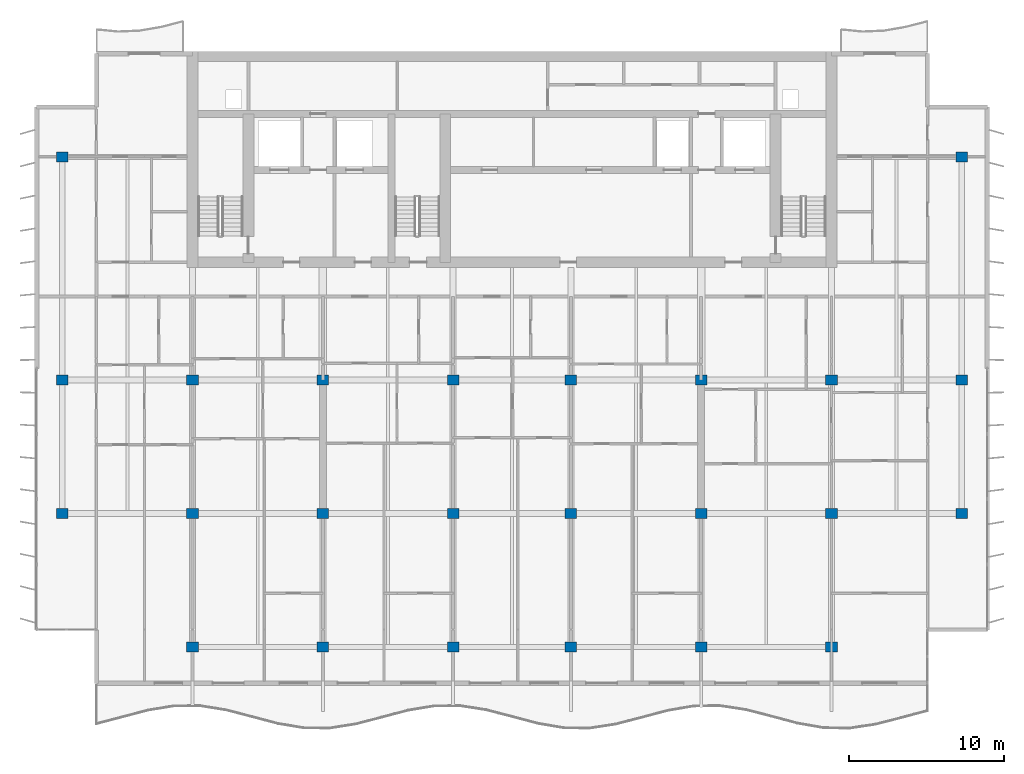
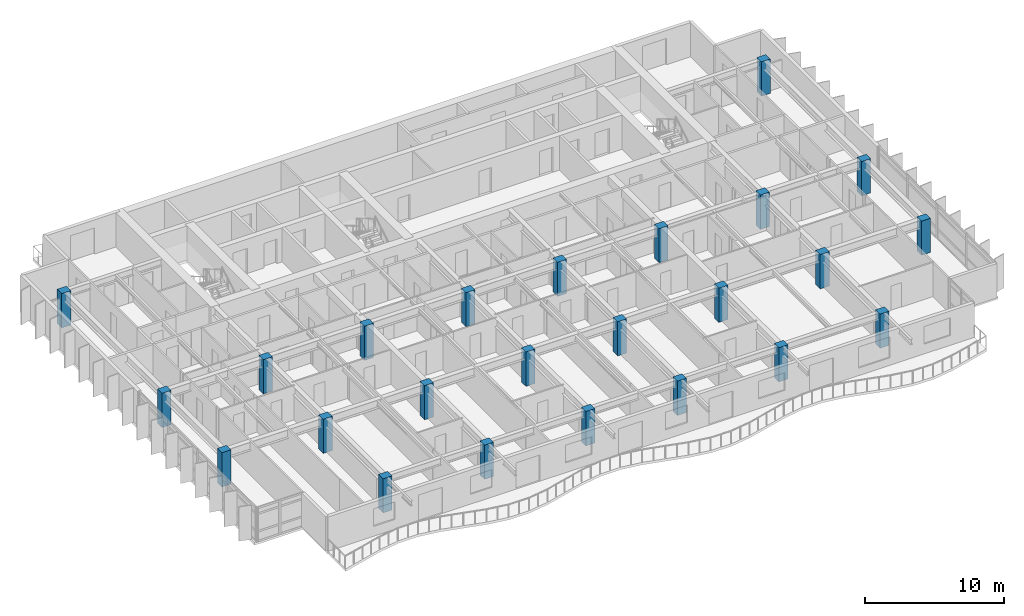
# One storey, part 1 of 16: 24 columns.
"""IFC4 building model written with IfcOpenShell, lengths in metres."""

import ifcopenshell
import ifcopenshell.guid

model = None  # the IFC model being written
_history = None  # IfcOwnerHistory: only IFC2X3 demands one
_inside = {}  # id of a spatial element -> (the spatial element, [elements in it])
_under = {}  # id of a project, library or spatial element -> (it, [spatial elements below it])
_declared = {}  # id of a project -> (the project, [libraries it declares])
_typed = {}  # id of a type object -> (the type object, [elements of that type])
_made_of = {}  # id of a material, layer set ... -> (it, [elements and type objects made of it])


def new_model(schema):
    """Start an empty IFC model of exactly this schema.

    Asked for "IFC4X3", IfcOpenShell would pick the latest addendum, in which some entities
    have other attributes; the version numbers below select the first issue.
    IFC2X3 requires an IfcOwnerHistory on every rooted entity: one is made here for all.
    """
    global model, _history
    if schema == "IFC4X3":
        model = ifcopenshell.file(schema_version=(4, 3, 0, 0))
    else:
        model = ifcopenshell.file(schema=schema)
    _inside.clear()
    _under.clear()
    _declared.clear()
    _typed.clear()
    _made_of.clear()
    _history = None
    if model.schema == "IFC2X3":
        org = make("IfcOrganization", Name="unknown")
        user = make(
            "IfcPersonAndOrganization",
            ThePerson=make("IfcPerson", FamilyName="unknown"),
            TheOrganization=org,
        )
        app = make(
            "IfcApplication",
            ApplicationDeveloper=org,
            Version="unknown",
            ApplicationFullName="unknown",
            ApplicationIdentifier="unknown",
        )
        _history = make(
            "IfcOwnerHistory",
            OwningUser=user,
            OwningApplication=app,
            ChangeAction="ADDED",
            CreationDate=0,
        )
    return model


def make(cls, **values):
    """One entity of the class cls with the attributes given. An attribute that is None is left unset."""
    return model.create_entity(
        cls, **{name: value for name, value in values.items() if value is not None}
    )


def rooted(cls, **values):
    """An entity with a GlobalId (a new one), such as an element, a storey or a relation."""
    return make(cls, GlobalId=ifcopenshell.guid.new(), OwnerHistory=_history, **values)


def si_unit(unit_type, name, prefix=None):
    """IfcSIUnit, for example si_unit("LENGTHUNIT", "METRE", prefix="MILLI")."""
    return make("IfcSIUnit", UnitType=unit_type, Prefix=prefix, Name=name)


def assignment(units):
    """IfcUnitAssignment: the units of a project."""
    return None if units is None else make("IfcUnitAssignment", Units=units)


def point(xyz):
    """IfcCartesianPoint."""
    return None if xyz is None else make("IfcCartesianPoint", Coordinates=xyz)


def direction(xyz):
    """IfcDirection."""
    return None if xyz is None else make("IfcDirection", DirectionRatios=xyz)


def frame(location, z_axis=None, x_axis=None):
    """IfcAxis2Placement3D, a coordinate frame: its origin and axes. An axis left out is left unset."""
    return make(
        "IfcAxis2Placement3D",
        Location=point(location),
        Axis=direction(z_axis),
        RefDirection=direction(x_axis),
    )


def frame_2d(location, x_axis=None):
    """IfcAxis2Placement2D, a coordinate frame in the plane: its origin and x axis."""
    return make(
        "IfcAxis2Placement2D", Location=point(location), RefDirection=direction(x_axis)
    )


def origin():
    """The frame at (0, 0, 0) with its axes left unset."""
    return frame((0.0, 0.0, 0.0))


def origin_2d():
    """The frame at (0, 0) in the plane with its x axis left unset."""
    return frame_2d((0.0, 0.0))


def place(relative_to, where):
    """IfcLocalPlacement: puts the frame where relative to a parent placement (None: the world)."""
    return make(
        "IfcLocalPlacement", PlacementRelTo=relative_to, RelativePlacement=where
    )


def context(
    kind, dimensions, precision=None, world=None, true_north=None, identifier=None
):
    """IfcGeometricRepresentationContext, for example the 3D "Model" context."""
    return make(
        "IfcGeometricRepresentationContext",
        ContextIdentifier=identifier,
        ContextType=kind,
        CoordinateSpaceDimension=dimensions,
        Precision=precision,
        WorldCoordinateSystem=world,
        TrueNorth=true_north,
    )


def subcontext(parent, identifier, kind, view, scale=None):
    """IfcGeometricRepresentationSubContext, for example "Body" below "Model"."""
    return make(
        "IfcGeometricRepresentationSubContext",
        ContextIdentifier=identifier,
        ContextType=kind,
        ParentContext=parent,
        TargetScale=scale,
        TargetView=view,
    )


def project(units=None, contexts=None):
    """IfcProject with its units and contexts."""
    return rooted(
        "IfcProject",
        Name="project",
        RepresentationContexts=contexts,
        UnitsInContext=assignment(units),
    )


def spatial(cls, under=None, at=None, **own):
    """A site, building, storey or space (cls), placed at a placement, below another one or the project."""
    s = rooted(cls, ObjectPlacement=at, **own)
    if under is not None:
        _under.setdefault(under.id(), (under, []))[1].append(s)
    return s


def profile(cls, at=None, kind="AREA", **sizes):
    """A parametric profile (cls). Its sizes go by their IFC names, for example OverallWidth=200.0."""
    return make(cls, ProfileType=kind, Position=at, **sizes)


def rectangle(**sizes):
    """IfcRectangleProfileDef."""
    return profile("IfcRectangleProfileDef", **sizes)


def extrude(swept, where, along, depth):
    """IfcExtrudedAreaSolid: the profile swept, set in the frame where, extruded along a direction by depth."""
    return make(
        "IfcExtrudedAreaSolid",
        SweptArea=swept,
        Position=where,
        ExtrudedDirection=direction(along),
        Depth=depth,
    )


def shape(context_of_items, identifier, shape_type, items):
    """IfcShapeRepresentation: the items that make up one representation, for example the "Body"."""
    return make(
        "IfcShapeRepresentation",
        ContextOfItems=context_of_items,
        RepresentationIdentifier=identifier,
        RepresentationType=shape_type,
        Items=items,
    )


def material(Name=None, Category=None):
    """IfcMaterial."""
    return make("IfcMaterial", Name=Name, Category=Category)


def material_profile(
    of_material, cross_section, Name=None, Category=None, Priority=None
):
    """IfcMaterialProfile: a cross section and its material."""
    return make(
        "IfcMaterialProfile",
        Name=Name,
        Material=of_material,
        Profile=cross_section,
        Priority=Priority,
        Category=Category,
    )


def profile_set(profiles, Name=None, composite=None):
    """IfcMaterialProfileSet."""
    return make(
        "IfcMaterialProfileSet",
        Name=Name,
        MaterialProfiles=profiles,
        CompositeProfile=composite,
    )


def made_of(thing, what):
    """Note that an element or type object is made of a material, layer set ...; save() writes the relation."""
    if what is not None:
        _made_of.setdefault(what.id(), (what, []))[1].append(thing)
    return thing


def type_object(cls, material=None, **own):
    """A type object (cls), such as IfcWallType, which elements share."""
    return made_of(rooted(cls, **own), material)


def element(
    cls,
    number,
    at=None,
    inside=None,
    cuts=None,
    type_object=None,
    material=None,
    context=None,
    identifier="Body",
    shape_type=None,
    held_by="IfcProductDefinitionShape",
    body=None,
    shapes=None,
    **own,
):
    """One element of the class cls, such as IfcWall. Its Tag is "e" and its number.

    at: its placement. inside: the storey or other place that contains it. cuts: it is an
    opening in that element (IfcRelVoidsElement). A single representation is given by context,
    identifier, shape_type and body (its items); several are given by shapes. held_by: the class
    of the entity that holds the representations. save() writes the other relations.
    """
    e = rooted(cls, Tag="e%d" % number, ObjectPlacement=at, **own)
    if body is not None:
        shapes = [shape(context, identifier, shape_type, body)]
    if shapes is not None:
        e.Representation = make(held_by, Representations=shapes)
    if inside is not None:
        _inside.setdefault(inside.id(), (inside, []))[1].append(e)
    if cuts is not None:
        rooted(
            "IfcRelVoidsElement", RelatingBuildingElement=cuts, RelatedOpeningElement=e
        )
    if type_object is not None:
        _typed.setdefault(type_object.id(), (type_object, []))[1].append(e)
    return made_of(e, material)


def aggregate(whole, parts):
    """IfcRelAggregates: a whole, such as a stair, and the parts it consists of."""
    return rooted("IfcRelAggregates", RelatingObject=whole, RelatedObjects=parts)


def save(model, path):
    """Write the relations noted so far, then the file.

    IfcRelAggregates (storeys below a building ...), IfcRelContainedInSpatialStructure (elements
    in a storey), IfcRelDefinesByType, IfcRelAssociatesMaterial and IfcRelDeclares: one each for
    every whole, place, type object, material and project.
    """
    for whole, parts in _under.values():
        aggregate(whole, parts)
    for where, things in _inside.values():
        rooted(
            "IfcRelContainedInSpatialStructure",
            RelatedElements=things,
            RelatingStructure=where,
        )
    for kind, things in _typed.values():
        rooted("IfcRelDefinesByType", RelatedObjects=things, RelatingType=kind)
    for what, things in _made_of.values():
        rooted("IfcRelAssociatesMaterial", RelatedObjects=things, RelatingMaterial=what)
    for by, libraries in _declared.values():
        rooted("IfcRelDeclares", RelatingContext=by, RelatedDefinitions=libraries)
    model.write(path)


model = new_model("IFC4")

# Units and contexts
model_context = context("Model", 3, precision=1e-05, world=origin(), true_north=direction((0.0, 1.0)))
body_context = subcontext(model_context, "Body", "Model", "MODEL_VIEW")
ifc_project = project(units=[si_unit("LENGTHUNIT", "METRE"), si_unit("AREAUNIT", "SQUARE_METRE"), si_unit("VOLUMEUNIT", "CUBIC_METRE"), si_unit("PLANEANGLEUNIT", "RADIAN"), si_unit("MASSUNIT", "GRAM", prefix="KILO")], contexts=[model_context])

# Site, building, storey
site_placement = place(None, origin())
site = spatial("IfcSite", under=ifc_project, at=site_placement, CompositionType="ELEMENT")
building_placement = place(site_placement, origin())
building = spatial("IfcBuilding", under=site, at=building_placement, Name="Caelmar Bay Residences", CompositionType="ELEMENT")
storey_placement = place(building_placement, frame((0.0, 0.0, 266.10009765625)))
storey = spatial("IfcBuildingStorey", under=building, at=storey_placement, Name="L75", CompositionType="ELEMENT", Elevation=266.10009765625)

# Columns
ifc_material = material(Name="Concrete f'c 55 MPa (8,000 psi)", Category="concrete")
ifc_material_profile = material_profile(ifc_material, rectangle(XDim=0.75, YDim=0.64990234375, at=origin_2d()), Name="RC-COL-750X650")
ifc_profile_set = profile_set([ifc_material_profile], Name="Concrete f'c 55 MPa (8,000 psi)")
column_type = type_object("IfcColumnType", Name="COL-RC-750X650", PredefinedType="COLUMN", material=ifc_profile_set)
for number, where, z_axis, x_axis, name in (
    (1, (18.300048828125, 12.199951171875, 0.0), (0.0, 0.0, 1.0), (1.0, 0.0, 0.0), "L75 Column (18.30,12.20)"),
    (2, (26.699951171875, 12.199951171875, 0.0), (0.0, 0.0, 1.0), (1.0, 0.0, 0.0), "L75 Column (26.70,12.20)"),
    (3, (35.10009765625, 12.199951171875, 0.0), (0.0, 0.0, 1.0), (1.0, 0.0, 0.0), "L75 Column (35.10,12.20)"),
    (4, (42.699951171875, 12.199951171875, 0.0), (0.0, 0.0, 1.0), (1.0, 0.0, 0.0), "L75 Column (42.70,12.20)"),
    (5, (51.10009765625, 12.199951171875, 0.0), (0.0, 0.0, 1.0), (1.0, 0.0, 0.0), "L75 Column (51.10,12.20)"),
    (6, (59.5, 12.199951171875, 0.0), (0.0, 0.0, 1.0), (1.0, 0.0, 0.0), "L75 Column (59.50,12.20)"),
    (7, (9.89990234375, 20.800048828125, 0.0), (0.0, 0.0, 1.0), (1.0, 0.0, 0.0), "L75 Column (9.90,20.80)"),
    (8, (18.300048828125, 20.800048828125, 0.0), (0.0, 0.0, 1.0), (1.0, 0.0, 0.0), "L75 Column (18.30,20.80)"),
    (9, (26.699951171875, 20.800048828125, 0.0), (0.0, 0.0, 1.0), (1.0, 0.0, 0.0), "L75 Column (26.70,20.80)"),
    (10, (35.10009765625, 20.800048828125, 0.0), (0.0, 0.0, 1.0), (1.0, 0.0, 0.0), "L75 Column (35.10,20.80)"),
    (11, (42.699951171875, 20.800048828125, 0.0), (0.0, 0.0, 1.0), (1.0, 0.0, 0.0), "L75 Column (42.70,20.80)"),
    (12, (51.10009765625, 20.800048828125, 0.0), (0.0, 0.0, 1.0), (1.0, 0.0, 0.0), "L75 Column (51.10,20.80)"),
    (13, (59.5, 20.800048828125, 0.0), (0.0, 0.0, 1.0), (1.0, 0.0, 0.0), "L75 Column (59.50,20.80)"),
    (14, (67.89990234375, 20.800048828125, 0.0), (0.0, 0.0, 1.0), (1.0, 0.0, 0.0), "L75 Column (67.90,20.80)"),
    (15, (9.89990234375, 29.39990234375, 0.0), (0.0, 0.0, 1.0), (1.0, 0.0, 0.0), "L75 Column (9.90,29.40)"),
    (16, (18.300048828125, 29.39990234375, 0.0), (0.0, 0.0, 1.0), (1.0, 0.0, 0.0), "L75 Column (18.30,29.40)"),
    (17, (26.699951171875, 29.39990234375, 0.0), (0.0, 0.0, 1.0), (1.0, 0.0, 0.0), "L75 Column (26.70,29.40)"),
    (18, (35.10009765625, 29.39990234375, 0.0), (0.0, 0.0, 1.0), (1.0, 0.0, 0.0), "L75 Column (35.10,29.40)"),
    (19, (42.699951171875, 29.39990234375, 0.0), (0.0, 0.0, 1.0), (1.0, 0.0, 0.0), "L75 Column (42.70,29.40)"),
    (20, (51.10009765625, 29.39990234375, 0.0), (0.0, 0.0, 1.0), (1.0, 0.0, 0.0), "L75 Column (51.10,29.40)"),
    (21, (59.5, 29.39990234375, 0.0), (0.0, 0.0, 1.0), (1.0, 0.0, 0.0), "L75 Column (59.50,29.40)"),
    (22, (67.89990234375, 29.39990234375, 0.0), (0.0, 0.0, 1.0), (1.0, 0.0, 0.0), "L75 Column (67.90,29.40)"),
    (23, (9.89990234375, 43.800048828125, 0.0), (0.0, 0.0, 1.0), (1.0, 0.0, 0.0), "L75 Column (9.90,43.80)"),
    (24, (67.89990234375, 43.800048828125, 0.0), (0.0, 0.0, 1.0), (1.0, 0.0, 0.0), "L75 Column (67.90,43.80)"),
):
    element("IfcColumn", number, at=place(storey_placement, frame(where, z_axis=z_axis, x_axis=x_axis)), inside=storey, type_object=column_type, Name=name, PredefinedType="COLUMN", context=body_context, shape_type="SweptSolid", body=[
        extrude(rectangle(XDim=0.75, YDim=0.64990234375, at=origin_2d()), origin(), (0.0, 0.0, 1.0), 3.0),
    ])

save(model, "model.ifc")
